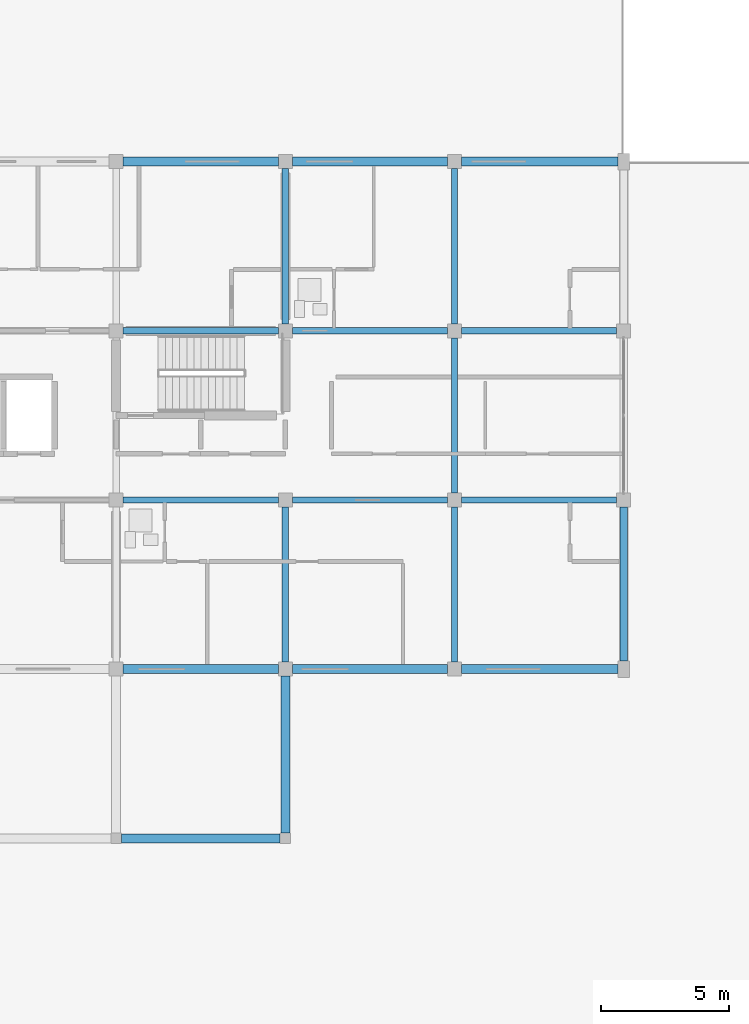
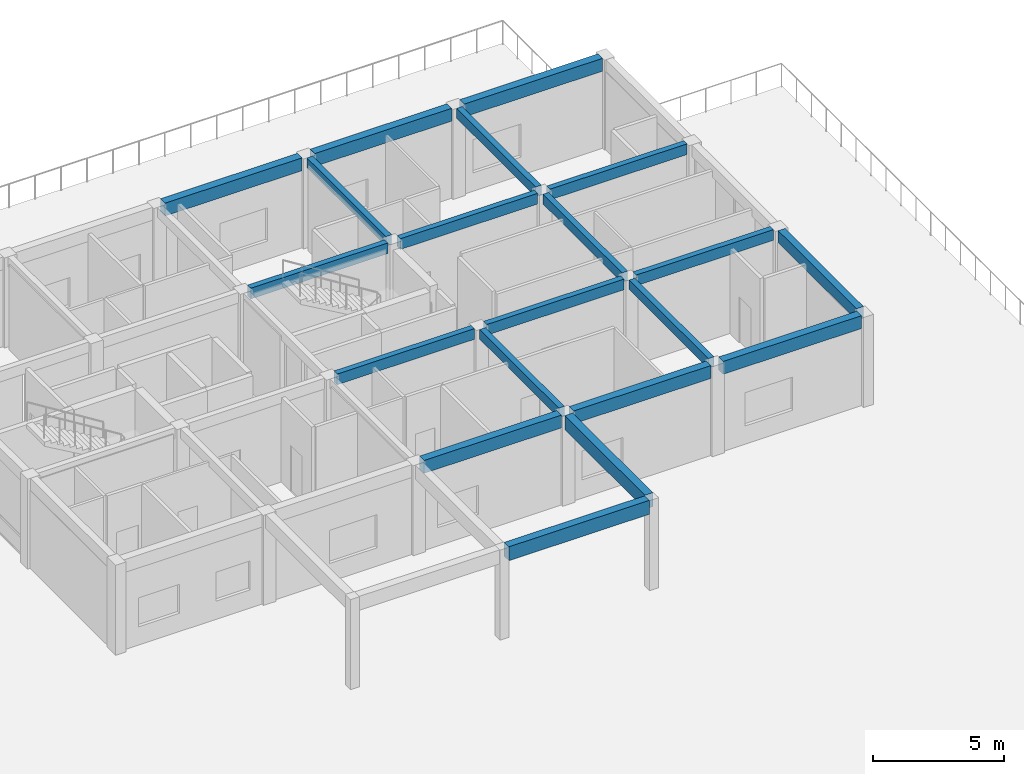
# One storey, part 46 of 92: 20 beams.
"""IFC4 building model written with IfcOpenShell, lengths in metres."""

import ifcopenshell
import ifcopenshell.guid

model = None  # the IFC model being written
_history = None  # IfcOwnerHistory: only IFC2X3 demands one
_inside = {}  # id of a spatial element -> (the spatial element, [elements in it])
_under = {}  # id of a project, library or spatial element -> (it, [spatial elements below it])
_declared = {}  # id of a project -> (the project, [libraries it declares])
_typed = {}  # id of a type object -> (the type object, [elements of that type])
_made_of = {}  # id of a material, layer set ... -> (it, [elements and type objects made of it])


def new_model(schema):
    """Start an empty IFC model of exactly this schema.

    Asked for "IFC4X3", IfcOpenShell would pick the latest addendum, in which some entities
    have other attributes; the version numbers below select the first issue.
    IFC2X3 requires an IfcOwnerHistory on every rooted entity: one is made here for all.
    """
    global model, _history
    if schema == "IFC4X3":
        model = ifcopenshell.file(schema_version=(4, 3, 0, 0))
    else:
        model = ifcopenshell.file(schema=schema)
    _inside.clear()
    _under.clear()
    _declared.clear()
    _typed.clear()
    _made_of.clear()
    _history = None
    if model.schema == "IFC2X3":
        org = make("IfcOrganization", Name="unknown")
        user = make(
            "IfcPersonAndOrganization",
            ThePerson=make("IfcPerson", FamilyName="unknown"),
            TheOrganization=org,
        )
        app = make(
            "IfcApplication",
            ApplicationDeveloper=org,
            Version="unknown",
            ApplicationFullName="unknown",
            ApplicationIdentifier="unknown",
        )
        _history = make(
            "IfcOwnerHistory",
            OwningUser=user,
            OwningApplication=app,
            ChangeAction="ADDED",
            CreationDate=0,
        )
    return model


def make(cls, **values):
    """One entity of the class cls with the attributes given. An attribute that is None is left unset."""
    return model.create_entity(
        cls, **{name: value for name, value in values.items() if value is not None}
    )


def rooted(cls, **values):
    """An entity with a GlobalId (a new one), such as an element, a storey or a relation."""
    return make(cls, GlobalId=ifcopenshell.guid.new(), OwnerHistory=_history, **values)


def si_unit(unit_type, name, prefix=None):
    """IfcSIUnit, for example si_unit("LENGTHUNIT", "METRE", prefix="MILLI")."""
    return make("IfcSIUnit", UnitType=unit_type, Prefix=prefix, Name=name)


def assignment(units):
    """IfcUnitAssignment: the units of a project."""
    return None if units is None else make("IfcUnitAssignment", Units=units)


def point(xyz):
    """IfcCartesianPoint."""
    return None if xyz is None else make("IfcCartesianPoint", Coordinates=xyz)


def direction(xyz):
    """IfcDirection."""
    return None if xyz is None else make("IfcDirection", DirectionRatios=xyz)


def frame(location, z_axis=None, x_axis=None):
    """IfcAxis2Placement3D, a coordinate frame: its origin and axes. An axis left out is left unset."""
    return make(
        "IfcAxis2Placement3D",
        Location=point(location),
        Axis=direction(z_axis),
        RefDirection=direction(x_axis),
    )


def frame_2d(location, x_axis=None):
    """IfcAxis2Placement2D, a coordinate frame in the plane: its origin and x axis."""
    return make(
        "IfcAxis2Placement2D", Location=point(location), RefDirection=direction(x_axis)
    )


def origin():
    """The frame at (0, 0, 0) with its axes left unset."""
    return frame((0.0, 0.0, 0.0))


def origin_2d():
    """The frame at (0, 0) in the plane with its x axis left unset."""
    return frame_2d((0.0, 0.0))


def place(relative_to, where):
    """IfcLocalPlacement: puts the frame where relative to a parent placement (None: the world)."""
    return make(
        "IfcLocalPlacement", PlacementRelTo=relative_to, RelativePlacement=where
    )


def context(
    kind, dimensions, precision=None, world=None, true_north=None, identifier=None
):
    """IfcGeometricRepresentationContext, for example the 3D "Model" context."""
    return make(
        "IfcGeometricRepresentationContext",
        ContextIdentifier=identifier,
        ContextType=kind,
        CoordinateSpaceDimension=dimensions,
        Precision=precision,
        WorldCoordinateSystem=world,
        TrueNorth=true_north,
    )


def subcontext(parent, identifier, kind, view, scale=None):
    """IfcGeometricRepresentationSubContext, for example "Body" below "Model"."""
    return make(
        "IfcGeometricRepresentationSubContext",
        ContextIdentifier=identifier,
        ContextType=kind,
        ParentContext=parent,
        TargetScale=scale,
        TargetView=view,
    )


def project(units=None, contexts=None):
    """IfcProject with its units and contexts."""
    return rooted(
        "IfcProject",
        Name="project",
        RepresentationContexts=contexts,
        UnitsInContext=assignment(units),
    )


def spatial(cls, under=None, at=None, **own):
    """A site, building, storey or space (cls), placed at a placement, below another one or the project."""
    s = rooted(cls, ObjectPlacement=at, **own)
    if under is not None:
        _under.setdefault(under.id(), (under, []))[1].append(s)
    return s


def profile(cls, at=None, kind="AREA", **sizes):
    """A parametric profile (cls). Its sizes go by their IFC names, for example OverallWidth=200.0."""
    return make(cls, ProfileType=kind, Position=at, **sizes)


def rectangle(**sizes):
    """IfcRectangleProfileDef."""
    return profile("IfcRectangleProfileDef", **sizes)


def extrude(swept, where, along, depth):
    """IfcExtrudedAreaSolid: the profile swept, set in the frame where, extruded along a direction by depth."""
    return make(
        "IfcExtrudedAreaSolid",
        SweptArea=swept,
        Position=where,
        ExtrudedDirection=direction(along),
        Depth=depth,
    )


def shape(context_of_items, identifier, shape_type, items):
    """IfcShapeRepresentation: the items that make up one representation, for example the "Body"."""
    return make(
        "IfcShapeRepresentation",
        ContextOfItems=context_of_items,
        RepresentationIdentifier=identifier,
        RepresentationType=shape_type,
        Items=items,
    )


def material(Name=None, Category=None):
    """IfcMaterial."""
    return make("IfcMaterial", Name=Name, Category=Category)


def material_profile(
    of_material, cross_section, Name=None, Category=None, Priority=None
):
    """IfcMaterialProfile: a cross section and its material."""
    return make(
        "IfcMaterialProfile",
        Name=Name,
        Material=of_material,
        Profile=cross_section,
        Priority=Priority,
        Category=Category,
    )


def profile_set(profiles, Name=None, composite=None):
    """IfcMaterialProfileSet."""
    return make(
        "IfcMaterialProfileSet",
        Name=Name,
        MaterialProfiles=profiles,
        CompositeProfile=composite,
    )


def made_of(thing, what):
    """Note that an element or type object is made of a material, layer set ...; save() writes the relation."""
    if what is not None:
        _made_of.setdefault(what.id(), (what, []))[1].append(thing)
    return thing


def type_object(cls, material=None, **own):
    """A type object (cls), such as IfcWallType, which elements share."""
    return made_of(rooted(cls, **own), material)


def element(
    cls,
    number,
    at=None,
    inside=None,
    cuts=None,
    type_object=None,
    material=None,
    context=None,
    identifier="Body",
    shape_type=None,
    held_by="IfcProductDefinitionShape",
    body=None,
    shapes=None,
    **own,
):
    """One element of the class cls, such as IfcWall. Its Tag is "e" and its number.

    at: its placement. inside: the storey or other place that contains it. cuts: it is an
    opening in that element (IfcRelVoidsElement). A single representation is given by context,
    identifier, shape_type and body (its items); several are given by shapes. held_by: the class
    of the entity that holds the representations. save() writes the other relations.
    """
    e = rooted(cls, Tag="e%d" % number, ObjectPlacement=at, **own)
    if body is not None:
        shapes = [shape(context, identifier, shape_type, body)]
    if shapes is not None:
        e.Representation = make(held_by, Representations=shapes)
    if inside is not None:
        _inside.setdefault(inside.id(), (inside, []))[1].append(e)
    if cuts is not None:
        rooted(
            "IfcRelVoidsElement", RelatingBuildingElement=cuts, RelatedOpeningElement=e
        )
    if type_object is not None:
        _typed.setdefault(type_object.id(), (type_object, []))[1].append(e)
    return made_of(e, material)


def aggregate(whole, parts):
    """IfcRelAggregates: a whole, such as a stair, and the parts it consists of."""
    return rooted("IfcRelAggregates", RelatingObject=whole, RelatedObjects=parts)


def save(model, path):
    """Write the relations noted so far, then the file.

    IfcRelAggregates (storeys below a building ...), IfcRelContainedInSpatialStructure (elements
    in a storey), IfcRelDefinesByType, IfcRelAssociatesMaterial and IfcRelDeclares: one each for
    every whole, place, type object, material and project.
    """
    for whole, parts in _under.values():
        aggregate(whole, parts)
    for where, things in _inside.values():
        rooted(
            "IfcRelContainedInSpatialStructure",
            RelatedElements=things,
            RelatingStructure=where,
        )
    for kind, things in _typed.values():
        rooted("IfcRelDefinesByType", RelatedObjects=things, RelatingType=kind)
    for what, things in _made_of.values():
        rooted("IfcRelAssociatesMaterial", RelatedObjects=things, RelatingMaterial=what)
    for by, libraries in _declared.values():
        rooted("IfcRelDeclares", RelatingContext=by, RelatedDefinitions=libraries)
    model.write(path)


model = new_model("IFC4")

# Units and contexts
model_context = context("Model", 3, precision=1e-05, world=origin(), true_north=direction((0.0, 1.0)))
body_context = subcontext(model_context, "Body", "Model", "MODEL_VIEW")
ifc_project = project(units=[si_unit("LENGTHUNIT", "METRE"), si_unit("AREAUNIT", "SQUARE_METRE"), si_unit("VOLUMEUNIT", "CUBIC_METRE"), si_unit("PLANEANGLEUNIT", "RADIAN"), si_unit("MASSUNIT", "GRAM", prefix="KILO")], contexts=[model_context])

# Site, building, storey
site_placement = place(None, origin())
site = spatial("IfcSite", under=ifc_project, at=site_placement, CompositionType="ELEMENT")
building_placement = place(site_placement, origin())
building = spatial("IfcBuilding", under=site, at=building_placement, Name="Kernevlak Ridge Housing Community", CompositionType="ELEMENT")
storey_placement = place(building_placement, frame((0.0, 0.0, 4.199951171875)))
storey = spatial("IfcBuildingStorey", under=building, at=storey_placement, Name="L01", CompositionType="ELEMENT", Elevation=4.199951171875)

# Beams
ifc_material = material(Name="Concrete C35/45", Category="concrete")
ifc_material_profile_1 = material_profile(ifc_material, rectangle(XDim=0.35009765625, YDim=0.64990234375, at=origin_2d()), Name="RC 350x650")
ifc_profile_set_1 = profile_set([ifc_material_profile_1], Name="Concrete C35/45")
beam_type_1 = type_object("IfcBeamType", Name="B-02", PredefinedType="BEAM", material=ifc_profile_set_1)
beam_1_placement = place(storey_placement, frame((132.800048828125, 76.0, 3.875), z_axis=(1.0, 0.0, 0.0), x_axis=(0.0, 1.0, 0.0)))
element("IfcBeam", 1, at=beam_1_placement, inside=storey, type_object=beam_type_1, Name="Beam B-02 L01 2422", PredefinedType="BEAM", context=body_context, shape_type="SweptSolid", body=[
    extrude(rectangle(XDim=0.35009765625, YDim=0.64990234375, at=origin_2d()), origin(), (0.0, 0.0, 1.0), 6.199951171875),
])
beam_2_placement = place(storey_placement, frame((139.199951171875, 76.199951171875, 3.875), z_axis=(0.0, 1.0, 0.0), x_axis=(-1.0, 0.0, 0.0)))
element("IfcBeam", 2, at=beam_2_placement, inside=storey, type_object=beam_type_1, Name="Beam B-02 L01 2456", PredefinedType="BEAM", context=body_context, shape_type="SweptSolid", body=[
    extrude(rectangle(XDim=0.35009765625, YDim=0.64990234375, at=origin_2d()), origin(), (0.0, 0.0, 1.0), 6.125),
])
ifc_material_profile_2 = material_profile(ifc_material, rectangle(XDim=0.25, YDim=0.449951171875, at=origin_2d()), Name="RC 250x450")
ifc_profile_set_2 = profile_set([ifc_material_profile_2], Name="Concrete C35/45")
beam_type_2 = type_object("IfcBeamType", Name="B-04", PredefinedType="T_BEAM", material=ifc_profile_set_2)
for number, where, z_axis, x_axis, name in (
    (3, (139.199951171875, 82.875, 3.97509765625), (0.0, 1.0, 0.0), (-1.0, 0.0, 0.0), "Beam B-04 L01 621"),
    (4, (139.199951171875, 96.074951171875, 3.97509765625), (0.0, 1.0, 0.0), (-1.0, 0.0, 0.0), "Beam B-04 L01 622"),
    (5, (145.800048828125, 82.875, 3.97509765625), (0.0, 1.0, 0.0), (-1.0, 0.0, 0.0), "Beam B-04 L01 623"),
):
    element("IfcBeam", number, at=place(storey_placement, frame(where, z_axis=z_axis, x_axis=x_axis)), inside=storey, type_object=beam_type_2, Name=name, PredefinedType="T_BEAM", context=body_context, shape_type="SweptSolid", body=[
        extrude(rectangle(XDim=0.25, YDim=0.449951171875, at=origin_2d()), origin(), (0.0, 0.0, 1.0), 6.050048828125),
    ])
beam_3_placement = place(storey_placement, frame((145.800048828125, 89.47509765625, 3.97509765625), z_axis=(0.0, 1.0, 0.0), x_axis=(-1.0, 0.0, 0.0)))
element("IfcBeam", 6, at=beam_3_placement, inside=storey, type_object=beam_type_2, Name="Beam B-04 L01 624", PredefinedType="T_BEAM", context=body_context, shape_type="SweptSolid", body=[
    extrude(rectangle(XDim=0.25, YDim=0.449951171875, at=origin_2d()), origin(), (0.0, 0.0, 1.0), 6.0498046875),
])
beam_4_placement = place(storey_placement, frame((145.800048828125, 96.074951171875, 3.97509765625), z_axis=(0.0, 1.0, 0.0), x_axis=(-1.0, 0.0, 0.0)))
element("IfcBeam", 7, at=beam_4_placement, inside=storey, type_object=beam_type_2, Name="Beam B-04 L01 625", PredefinedType="T_BEAM", context=body_context, shape_type="SweptSolid", body=[
    extrude(rectangle(XDim=0.25, YDim=0.449951171875, at=origin_2d()), origin(), (0.0, 0.0, 1.0), 6.050048828125),
])
ifc_material_profile_3 = material_profile(ifc_material, rectangle(XDim=0.25, YDim=0.5, at=origin_2d()), Name="RC 250x500")
ifc_profile_set_3 = profile_set([ifc_material_profile_3], Name="Concrete C35/45")
beam_type_3 = type_object("IfcBeamType", Name="B-06", PredefinedType="T_BEAM", material=ifc_profile_set_3)
beam_5_placement = place(storey_placement, frame((132.875, 89.199951171875, 3.949951171875), z_axis=(1.0, 0.0, 0.0), x_axis=(0.0, 1.0, 0.0)))
element("IfcBeam", 8, at=beam_5_placement, inside=storey, type_object=beam_type_3, Name="Beam B-06 L01 600", PredefinedType="T_BEAM", context=body_context, shape_type="SweptSolid", body=[
    extrude(rectangle(XDim=0.25, YDim=0.5, at=origin_2d()), origin(), (0.0, 0.0, 1.0), 6.050048828125),
])
beam_6_placement = place(storey_placement, frame((139.47509765625, 89.199951171875, 3.949951171875), z_axis=(1.0, 0.0, 0.0), x_axis=(0.0, 1.0, 0.0)))
element("IfcBeam", 9, at=beam_6_placement, inside=storey, type_object=beam_type_3, Name="Beam B-06 L01 601", PredefinedType="T_BEAM", context=body_context, shape_type="SweptSolid", body=[
    extrude(rectangle(XDim=0.25, YDim=0.5, at=origin_2d()), origin(), (0.0, 0.0, 1.0), 6.0498046875),
])
for number, where, z_axis, x_axis, name in (
    (10, (146.074951171875, 89.199951171875, 3.949951171875), (1.0, 0.0, 0.0), (0.0, 1.0, 0.0), "Beam B-06 L01 602"),
    (11, (132.875, 95.800048828125, 3.949951171875), (1.0, 0.0, 0.0), (0.0, 1.0, 0.0), "Beam B-06 L01 605"),
):
    element("IfcBeam", number, at=place(storey_placement, frame(where, z_axis=z_axis, x_axis=x_axis)), inside=storey, type_object=beam_type_3, Name=name, PredefinedType="T_BEAM", context=body_context, shape_type="SweptSolid", body=[
        extrude(rectangle(XDim=0.25, YDim=0.5, at=origin_2d()), origin(), (0.0, 0.0, 1.0), 6.050048828125),
    ])
beam_7_placement = place(storey_placement, frame((139.47509765625, 95.800048828125, 3.949951171875), z_axis=(1.0, 0.0, 0.0), x_axis=(0.0, 1.0, 0.0)))
element("IfcBeam", 12, at=beam_7_placement, inside=storey, type_object=beam_type_3, Name="Beam B-06 L01 606", PredefinedType="T_BEAM", context=body_context, shape_type="SweptSolid", body=[
    extrude(rectangle(XDim=0.25, YDim=0.5, at=origin_2d()), origin(), (0.0, 0.0, 1.0), 6.0498046875),
])
beam_8_placement = place(storey_placement, frame((146.074951171875, 95.800048828125, 3.949951171875), z_axis=(1.0, 0.0, 0.0), x_axis=(0.0, 1.0, 0.0)))
element("IfcBeam", 13, at=beam_8_placement, inside=storey, type_object=beam_type_3, Name="Beam B-06 L01 607", PredefinedType="T_BEAM", context=body_context, shape_type="SweptSolid", body=[
    extrude(rectangle(XDim=0.25, YDim=0.5, at=origin_2d()), origin(), (0.0, 0.0, 1.0), 6.050048828125),
])
ifc_material_profile_4 = material_profile(ifc_material, rectangle(XDim=0.300048828125, YDim=0.550048828125, at=origin_2d()), Name="RC 300x550")
ifc_profile_set_4 = profile_set([ifc_material_profile_4], Name="Concrete C35/45")
beam_type_4 = type_object("IfcBeamType", Name="SP-01", PredefinedType="SPANDREL", material=ifc_profile_set_4)
beam_9_placement = place(storey_placement, frame((152.39990234375, 82.925048828125, 3.925048828125), z_axis=(0.0, 1.0, 0.0), x_axis=(-1.0, 0.0, 0.0)))
element("IfcBeam", 14, at=beam_9_placement, inside=storey, type_object=beam_type_4, Name="Beam SP-01 L01 626", PredefinedType="SPANDREL", context=body_context, shape_type="SweptSolid", body=[
    extrude(rectangle(XDim=0.300048828125, YDim=0.550048828125, at=origin_2d()), origin(), (0.0, 0.0, 1.0), 6.0),
])
ifc_material_profile_5 = material_profile(ifc_material, rectangle(XDim=0.35009765625, YDim=0.60009765625, at=origin_2d()), Name="RC 350x600")
ifc_profile_set_5 = profile_set([ifc_material_profile_5], Name="Concrete C35/45")
beam_type_5 = type_object("IfcBeamType", Name="SP-03", PredefinedType="SPANDREL", material=ifc_profile_set_5)
beam_10_placement = place(storey_placement, frame((132.875, 82.60009765625, 3.900146484375), z_axis=(1.0, 0.0, 0.0), x_axis=(0.0, 1.0, 0.0)))
element("IfcBeam", 15, at=beam_10_placement, inside=storey, type_object=beam_type_5, Name="Beam SP-03 L01 595", PredefinedType="SPANDREL", context=body_context, shape_type="SweptSolid", body=[
    extrude(rectangle(XDim=0.35009765625, YDim=0.60009765625, at=origin_2d()), origin(), (0.0, 0.0, 1.0), 6.050048828125),
])
beam_11_placement = place(storey_placement, frame((139.47509765625, 82.60009765625, 3.900146484375), z_axis=(1.0, 0.0, 0.0), x_axis=(0.0, 1.0, 0.0)))
element("IfcBeam", 16, at=beam_11_placement, inside=storey, type_object=beam_type_5, Name="Beam SP-03 L01 596", PredefinedType="SPANDREL", context=body_context, shape_type="SweptSolid", body=[
    extrude(rectangle(XDim=0.35009765625, YDim=0.60009765625, at=origin_2d()), origin(), (0.0, 0.0, 1.0), 6.0498046875),
])
beam_12_placement = place(storey_placement, frame((146.074951171875, 82.60009765625, 3.900146484375), z_axis=(1.0, 0.0, 0.0), x_axis=(0.0, 1.0, 0.0)))
element("IfcBeam", 17, at=beam_12_placement, inside=storey, type_object=beam_type_5, Name="Beam SP-03 L01 597", PredefinedType="SPANDREL", context=body_context, shape_type="SweptSolid", body=[
    extrude(rectangle(XDim=0.35009765625, YDim=0.60009765625, at=origin_2d()), origin(), (0.0, 0.0, 1.0), 6.10009765625),
])
beam_13_placement = place(storey_placement, frame((132.875, 102.39990234375, 3.900146484375), z_axis=(1.0, 0.0, 0.0), x_axis=(0.0, 1.0, 0.0)))
element("IfcBeam", 18, at=beam_13_placement, inside=storey, type_object=beam_type_5, Name="Beam SP-03 L01 610", PredefinedType="SPANDREL", context=body_context, shape_type="SweptSolid", body=[
    extrude(rectangle(XDim=0.35009765625, YDim=0.60009765625, at=origin_2d()), origin(), (0.0, 0.0, 1.0), 6.050048828125),
])
beam_14_placement = place(storey_placement, frame((139.47509765625, 102.39990234375, 3.900146484375), z_axis=(1.0, 0.0, 0.0), x_axis=(0.0, 1.0, 0.0)))
element("IfcBeam", 19, at=beam_14_placement, inside=storey, type_object=beam_type_5, Name="Beam SP-03 L01 611", PredefinedType="SPANDREL", context=body_context, shape_type="SweptSolid", body=[
    extrude(rectangle(XDim=0.35009765625, YDim=0.60009765625, at=origin_2d()), origin(), (0.0, 0.0, 1.0), 6.0498046875),
])
beam_15_placement = place(storey_placement, frame((146.074951171875, 102.39990234375, 3.900146484375), z_axis=(1.0, 0.0, 0.0), x_axis=(0.0, 1.0, 0.0)))
element("IfcBeam", 20, at=beam_15_placement, inside=storey, type_object=beam_type_5, Name="Beam SP-03 L01 612", PredefinedType="SPANDREL", context=body_context, shape_type="SweptSolid", body=[
    extrude(rectangle(XDim=0.35009765625, YDim=0.60009765625, at=origin_2d()), origin(), (0.0, 0.0, 1.0), 6.10009765625),
])

save(model, "model.ifc")
